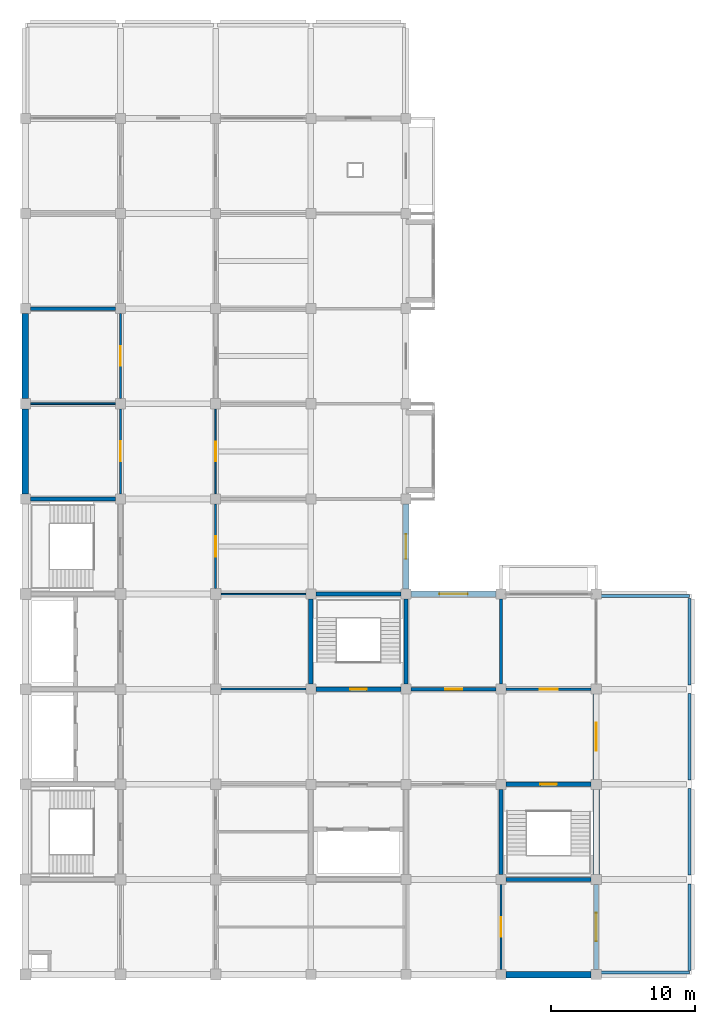
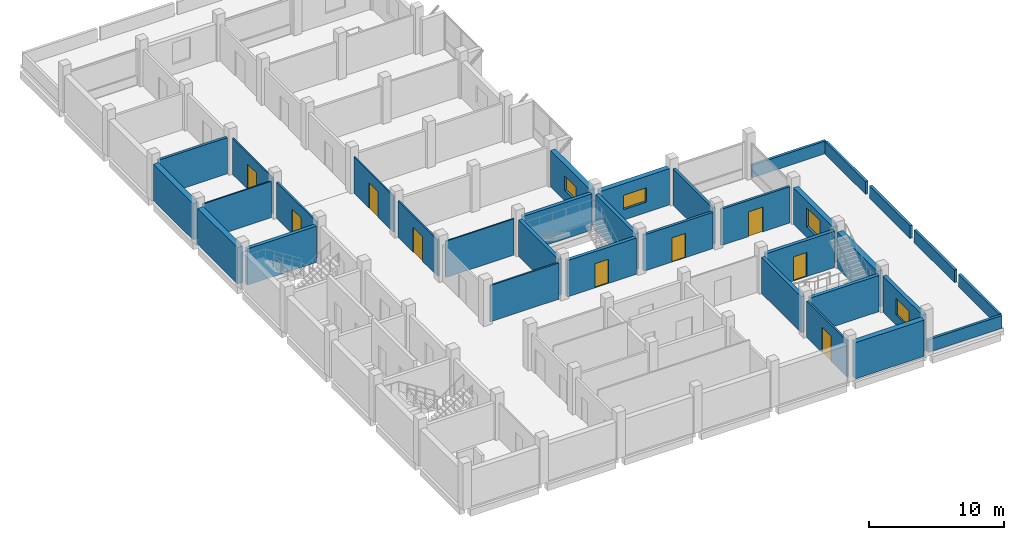
# One storey, part 7 of 10: 34 walls, 9 doors, 4 windows, 13 openings.
"""IFC4 building model written with IfcOpenShell, lengths in metres."""

from ifc_helpers import new_model, si_unit, direction, frame, frame_2d, origin, place, context, subcontext, project, spatial, rectangle, extrude, material, layer, layer_set, type_object, element, fill, save


model = new_model("IFC4")

# Units and contexts
model_context = context("Model", 3, precision=1e-05, world=origin(), true_north=direction((0.0, 1.0)))
body_context = subcontext(model_context, "Body", "Model", "MODEL_VIEW")
ifc_project = project(units=[si_unit("LENGTHUNIT", "METRE"), si_unit("AREAUNIT", "SQUARE_METRE"), si_unit("VOLUMEUNIT", "CUBIC_METRE"), si_unit("PLANEANGLEUNIT", "RADIAN"), si_unit("MASSUNIT", "GRAM", prefix="KILO")], contexts=[model_context])

# Site, building, storey
site_placement = place(None, origin())
site = spatial("IfcSite", under=ifc_project, at=site_placement, CompositionType="ELEMENT")
building_placement = place(site_placement, origin())
building = spatial("IfcBuilding", under=site, at=building_placement, Name="Rusizi Kubbe Research Institute", CompositionType="ELEMENT")
storey_placement = place(building_placement, frame((0.0, 0.0, 43.800048828125)))
storey = spatial("IfcBuildingStorey", under=building, at=storey_placement, Name="L10", CompositionType="ELEMENT", Elevation=43.800048828125)

# Wall
ifc_material_1 = material(Name="Concrete C40/50", Category="concrete")
ifc_layer_1 = layer(ifc_material_1, 0.294921875)
ifc_layer_set_1 = layer_set([ifc_layer_1], Name="Concrete C40/50")
wall_type_1 = type_object("IfcWallType", Name="CRW-03", PredefinedType="SHEAR", material=ifc_layer_set_1)
wall_1_placement = place(storey_placement, frame((0.35009765625, 33.0, 0.0), z_axis=(0.0, 0.0, 1.0), x_axis=(1.0, 0.0, 0.0)))
element("IfcWall", 1, at=wall_1_placement, inside=storey, type_object=wall_type_1, Name="Stair Core Shear Wall ST2 L10 N", PredefinedType="SHEAR", context=body_context, shape_type="SweptSolid", body=[
    extrude(rectangle(XDim=5.89990234375, YDim=0.294921875, at=frame_2d((2.949951171875, 0.0))), origin(), (0.0, 0.0, 1.0), 3.2900390625),
])

# Wall, opening, door
wall_2_placement = place(storey_placement, frame((20.14990234375, 19.800048828125, 0.0), z_axis=(0.0, 0.0, 1.0), x_axis=(1.0, 0.0, 0.0)))
wall_2 = element("IfcWall", 2, at=wall_2_placement, inside=storey, type_object=wall_type_1, Name="Stair Core Shear Wall ST3 L10 S", PredefinedType="SHEAR", context=body_context, shape_type="SweptSolid", body=[
    extrude(rectangle(XDim=5.900146484375, YDim=0.294921875, at=frame_2d((2.9501953125, 0.0))), origin(), (0.0, 0.0, 1.0), 3.2900390625),
])
opening_1_placement = place(wall_2_placement, frame((2.375, 0.0, 0.0)))
opening_1 = element("IfcOpeningElement", 3, at=opening_1_placement, cuts=wall_2, Name="Opening D-02", PredefinedType="OPENING", context=body_context, shape_type="SweptSolid", body=[
    extrude(rectangle(XDim=1.14990234375, YDim=2.199951171875, at=frame_2d((0.574951171875, 1.10009765625))), frame((0.0, 0.157470703125, 0.0), z_axis=(0.0, -1.0, 0.0), x_axis=(1.0, 0.0, 0.0)), (0.0, 0.0, 1.0), 0.31494140625),
])
ifc_material_2 = material(Name="Fire-Rated Steel Frame and Acoustic Timber Leaf", Category="wood")
door_type_1 = type_object("IfcDoorType", Name="ID-STAIR-115", OperationType="NOTDEFINED", PredefinedType="DOOR", material=ifc_material_2)
door_1_placement = place(opening_1_placement, origin())
door_1 = element("IfcDoor", 4, at=door_1_placement, inside=storey, type_object=door_type_1, Name="Exit Stair Door ST3 L10", OperationType="SINGLE_SWING_RIGHT", OverallHeight=2.199951171875, OverallWidth=1.14990234375, PredefinedType="DOOR", context=body_context, shape_type="SweptSolid", body=[
    extrude(rectangle(XDim=1.14990234375, YDim=2.199951171875, at=frame_2d((0.574951171875, 1.10009765625))), frame((0.0, 0.02490234375, 0.0), z_axis=(0.0, -1.0, 0.0), x_axis=(1.0, 0.0, 0.0)), (0.0, 0.0, 1.0), 0.050048828125),
])
fill(opening_1, door_1)

# Walls
for number, where, z_axis, x_axis, name in (
    (5, (20.14990234375, 26.39990234375, 0.0), (0.0, 0.0, 1.0), (1.0, 0.0, 0.0), "Stair Core Shear Wall ST3 L10 N"),
    (6, (19.800048828125, 20.14990234375, 0.0), (0.0, 0.0, 1.0), (0.0, 1.0, 0.0), "Stair Core Shear Wall ST3 L10 W"),
    (7, (26.39990234375, 20.14990234375, 0.0), (0.0, 0.0, 1.0), (0.0, 1.0, 0.0), "Stair Core Shear Wall ST3 L10 E"),
):
    element("IfcWall", number, at=place(storey_placement, frame(where, z_axis=z_axis, x_axis=x_axis)), inside=storey, type_object=wall_type_1, Name=name, PredefinedType="SHEAR", context=body_context, shape_type="SweptSolid", body=[
        extrude(rectangle(XDim=5.900146484375, YDim=0.294921875, at=frame_2d((2.9501953125, 0.0))), origin(), (0.0, 0.0, 1.0), 3.2900390625),
    ])
wall_3_placement = place(storey_placement, frame((33.35009765625, 6.60009765625, 0.0), z_axis=(0.0, 0.0, 1.0), x_axis=(1.0, 0.0, 0.0)))
element("IfcWall", 8, at=wall_3_placement, inside=storey, type_object=wall_type_1, Name="Stair Core Shear Wall ST4 L10 S", PredefinedType="SHEAR", context=body_context, shape_type="SweptSolid", body=[
    extrude(rectangle(XDim=5.89990234375, YDim=0.294921875, at=frame_2d((2.949951171875, 0.0))), origin(), (0.0, 0.0, 1.0), 3.2900390625),
])

# Wall, opening, door
wall_4_placement = place(storey_placement, frame((33.35009765625, 13.199951171875, 0.0), z_axis=(0.0, 0.0, 1.0), x_axis=(1.0, 0.0, 0.0)))
wall_4 = element("IfcWall", 9, at=wall_4_placement, inside=storey, type_object=wall_type_1, Name="Stair Core Shear Wall ST4 L10 N", PredefinedType="SHEAR", context=body_context, shape_type="SweptSolid", body=[
    extrude(rectangle(XDim=5.89990234375, YDim=0.294921875, at=frame_2d((2.949951171875, 0.0))), origin(), (0.0, 0.0, 1.0), 3.2900390625),
])
opening_2_placement = place(wall_4_placement, frame((2.375, 0.0, 0.0)))
opening_2 = element("IfcOpeningElement", 10, at=opening_2_placement, cuts=wall_4, Name="Opening D-02", PredefinedType="OPENING", context=body_context, shape_type="SweptSolid", body=[
    extrude(rectangle(XDim=1.14990234375, YDim=2.199951171875, at=frame_2d((0.574951171875, 1.10009765625))), frame((0.0, 0.157470703125, 0.0), z_axis=(0.0, -1.0, 0.0), x_axis=(1.0, 0.0, 0.0)), (0.0, 0.0, 1.0), 0.31494140625),
])
door_2_placement = place(opening_2_placement, origin())
door_2 = element("IfcDoor", 11, at=door_2_placement, inside=storey, type_object=door_type_1, Name="Exit Stair Door ST4 L10", OperationType="SINGLE_SWING_RIGHT", OverallHeight=2.199951171875, OverallWidth=1.14990234375, PredefinedType="DOOR", context=body_context, shape_type="SweptSolid", body=[
    extrude(rectangle(XDim=1.14990234375, YDim=2.199951171875, at=frame_2d((0.574951171875, 1.10009765625))), frame((0.0, 0.02490234375, 0.0), z_axis=(0.0, -1.0, 0.0), x_axis=(1.0, 0.0, 0.0)), (0.0, 0.0, 1.0), 0.050048828125),
])
fill(opening_2, door_2)

# Wall
wall_5_placement = place(storey_placement, frame((33.0, 6.949951171875, 0.0), z_axis=(0.0, 0.0, 1.0), x_axis=(0.0, 1.0, 0.0)))
element("IfcWall", 12, at=wall_5_placement, inside=storey, type_object=wall_type_1, Name="Stair Core Shear Wall ST4 L10 W", PredefinedType="SHEAR", context=body_context, shape_type="SweptSolid", body=[
    extrude(rectangle(XDim=5.900146484375, YDim=0.294921875, at=frame_2d((2.9501953125, 0.0))), origin(), (0.0, 0.0, 1.0), 3.2900390625),
])

# Wall, opening, window
ifc_material_3 = material(Name="Volcanic Basalt Ashlar Masonry", Category="masonry")
ifc_layer_2 = layer(ifc_material_3, 0.419921875)
ifc_layer_set_2 = layer_set([ifc_layer_2], Name="Volcanic Basalt Ashlar Masonry")
wall_type_2 = type_object("IfcWallType", Name="EW-02", PredefinedType="SOLIDWALL", material=ifc_layer_set_2)
wall_6_placement = place(storey_placement, frame((26.39990234375, 26.75, 0.0), z_axis=(0.0, 0.0, 1.0), x_axis=(0.0, 1.0, 0.0)))
wall_6 = element("IfcWall", 13, at=wall_6_placement, inside=storey, type_object=wall_type_2, Name="Ablaq Stone Exterior Wall L10 V4-4", PredefinedType="SOLIDWALL", context=body_context, shape_type="SweptSolid", body=[
    extrude(rectangle(XDim=5.89990234375, YDim=0.419921875, at=frame_2d((2.949951171875, 0.0))), origin(), (0.0, 0.0, 1.0), 3.2900390625),
])
opening_3_placement = place(wall_6_placement, frame((2.090087890625, 0.0, 0.949951171875)))
opening_3 = element("IfcOpeningElement", 14, at=opening_3_placement, cuts=wall_6, Name="Opening WN-21", PredefinedType="OPENING", context=body_context, shape_type="SweptSolid", body=[
    extrude(rectangle(XDim=1.719970703125, YDim=1.300048828125, at=frame_2d((0.85986328125, 0.64990234375))), frame((0.0, 0.219970703125, 0.0), z_axis=(0.0, -1.0, 0.0), x_axis=(1.0, 0.0, 0.0)), (0.0, 0.0, 1.0), 0.43994140625),
])
ifc_material_4 = material(Name="Aluminium Frame and Solar-Control Double Glazing", Category="glass")
window_type_1 = type_object("IfcWindowType", Name="WN-21", PartitioningType="DOUBLE_PANEL_VERTICAL", PredefinedType="WINDOW", material=ifc_material_4)
window_1_placement = place(opening_3_placement, origin())
window_1 = element("IfcWindow", 15, at=window_1_placement, inside=storey, type_object=window_type_1, Name="Casement Window WN-21 L10", OverallHeight=1.300048828125, OverallWidth=1.719970703125, PartitioningType="DOUBLE_PANEL_VERTICAL", PredefinedType="WINDOW", context=body_context, shape_type="SweptSolid", body=[
    extrude(rectangle(XDim=1.719970703125, YDim=1.300048828125, at=frame_2d((0.85986328125, 0.64990234375))), frame((0.0, 0.030029296875, 0.0), z_axis=(0.0, -1.0, 0.0), x_axis=(1.0, 0.0, 0.0)), (0.0, 0.0, 1.0), 0.06005859375),
])
fill(opening_3, window_1)

wall_7_placement = place(storey_placement, frame((26.75, 26.39990234375, 0.0), z_axis=(0.0, 0.0, 1.0), x_axis=(1.0, 0.0, 0.0)))
wall_7 = element("IfcWall", 16, at=wall_7_placement, inside=storey, type_object=wall_type_2, Name="Ablaq Stone Exterior Wall L10 H4-4", PredefinedType="SOLIDWALL", context=body_context, shape_type="SweptSolid", body=[
    extrude(rectangle(XDim=5.89990234375, YDim=0.419921875, at=frame_2d((2.949951171875, 0.0))), origin(), (0.0, 0.0, 1.0), 3.2900390625),
])
opening_4_placement = place(wall_7_placement, frame((1.969970703125, 0.0, 0.949951171875)))
opening_4 = element("IfcOpeningElement", 17, at=opening_4_placement, cuts=wall_7, Name="Opening WN-25", PredefinedType="OPENING", context=body_context, shape_type="SweptSolid", body=[
    extrude(rectangle(XDim=1.9599609375, YDim=1.300048828125, at=frame_2d((0.97998046875, 0.64990234375))), frame((0.0, 0.219970703125, 0.0), z_axis=(0.0, -1.0, 0.0), x_axis=(1.0, 0.0, 0.0)), (0.0, 0.0, 1.0), 0.43994140625),
])
ifc_material_5 = material(Name="Aluminium Frame and Solar-Control Double Glazing", Category="glass")
window_type_2 = type_object("IfcWindowType", Name="WN-25", PartitioningType="DOUBLE_PANEL_VERTICAL", PredefinedType="WINDOW", material=ifc_material_5)
window_2_placement = place(opening_4_placement, origin())
window_2 = element("IfcWindow", 18, at=window_2_placement, inside=storey, type_object=window_type_2, Name="Casement Window WN-25 L10", OverallHeight=1.300048828125, OverallWidth=1.9599609375, PartitioningType="DOUBLE_PANEL_VERTICAL", PredefinedType="WINDOW", context=body_context, shape_type="SweptSolid", body=[
    extrude(rectangle(XDim=1.9599609375, YDim=1.300048828125, at=frame_2d((0.97998046875, 0.64990234375))), frame((0.0, 0.030029296875, 0.0), z_axis=(0.0, -1.0, 0.0), x_axis=(1.0, 0.0, 0.0)), (0.0, 0.0, 1.0), 0.06005859375),
])
fill(opening_4, window_2)

wall_8_placement = place(storey_placement, frame((39.60009765625, 13.550048828125, 0.0), z_axis=(0.0, 0.0, 1.0), x_axis=(0.0, 1.0, 0.0)))
wall_8 = element("IfcWall", 19, at=wall_8_placement, inside=storey, type_object=wall_type_2, Name="Ablaq Stone Exterior Wall L10 V6-2", PredefinedType="SOLIDWALL", context=body_context, shape_type="SweptSolid", body=[
    extrude(rectangle(XDim=5.89990234375, YDim=0.419921875, at=frame_2d((2.949951171875, 0.0))), origin(), (0.0, 0.0, 1.0), 3.2900390625),
])
opening_5_placement = place(wall_8_placement, frame((1.969970703125, 0.0, 0.949951171875)))
opening_5 = element("IfcOpeningElement", 20, at=opening_5_placement, cuts=wall_8, Name="Opening WN-27", PredefinedType="OPENING", context=body_context, shape_type="SweptSolid", body=[
    extrude(rectangle(XDim=1.9599609375, YDim=1.739990234375, at=frame_2d((0.97998046875, 0.8701171875))), frame((0.0, 0.219970703125, 0.0), z_axis=(0.0, -1.0, 0.0), x_axis=(1.0, 0.0, 0.0)), (0.0, 0.0, 1.0), 0.43994140625),
])
ifc_material_6 = material(Name="Aluminium Frame and Solar-Control Double Glazing", Category="glass")
window_type_3 = type_object("IfcWindowType", Name="WN-27", PartitioningType="DOUBLE_PANEL_VERTICAL", PredefinedType="WINDOW", material=ifc_material_6)
window_3_placement = place(opening_5_placement, origin())
window_3 = element("IfcWindow", 21, at=window_3_placement, inside=storey, type_object=window_type_3, Name="Casement Window WN-27 L10", OverallHeight=1.739990234375, OverallWidth=1.9599609375, PartitioningType="DOUBLE_PANEL_VERTICAL", PredefinedType="WINDOW", context=body_context, shape_type="SweptSolid", body=[
    extrude(rectangle(XDim=1.9599609375, YDim=1.739990234375, at=frame_2d((0.97998046875, 0.8701171875))), frame((0.0, 0.030029296875, 0.0), z_axis=(0.0, -1.0, 0.0), x_axis=(1.0, 0.0, 0.0)), (0.0, 0.0, 1.0), 0.06005859375),
])
fill(opening_5, window_3)

ifc_material_7 = material(Name="Volcanic Basalt Ashlar Masonry", Category="masonry")
ifc_layer_3 = layer(ifc_material_7, 0.324951171875)
ifc_layer_set_3 = layer_set([ifc_layer_3], Name="Volcanic Basalt Ashlar Masonry")
wall_type_3 = type_object("IfcWallType", Name="EW-08", PredefinedType="SOLIDWALL", material=ifc_layer_set_3)
wall_9_placement = place(storey_placement, frame((39.60009765625, 0.35009765625, 0.0), z_axis=(0.0, 0.0, 1.0), x_axis=(0.0, 1.0, 0.0)))
wall_9 = element("IfcWall", 22, at=wall_9_placement, inside=storey, type_object=wall_type_3, Name="Ablaq Stone Exterior Wall L10 V6-0", PredefinedType="SOLIDWALL", context=body_context, shape_type="SweptSolid", body=[
    extrude(rectangle(XDim=5.89990234375, YDim=0.324951171875, at=frame_2d((2.949951171875, 0.0))), origin(), (0.0, 0.0, 1.0), 3.2900390625),
])
opening_6_placement = place(wall_9_placement, frame((1.969970703125, 0.0, 0.949951171875)))
opening_6 = element("IfcOpeningElement", 23, at=opening_6_placement, cuts=wall_9, Name="Opening WN-26", PredefinedType="OPENING", context=body_context, shape_type="SweptSolid", body=[
    extrude(rectangle(XDim=1.9599609375, YDim=1.52001953125, at=frame_2d((0.97998046875, 0.760009765625))), frame((0.0, 0.17236328125, 0.0), z_axis=(0.0, -1.0, 0.0), x_axis=(1.0, 0.0, 0.0)), (0.0, 0.0, 1.0), 0.344970703125),
])
ifc_material_8 = material(Name="Aluminium Frame and Solar-Control Double Glazing", Category="glass")
window_type_4 = type_object("IfcWindowType", Name="WN-26", PartitioningType="DOUBLE_PANEL_VERTICAL", PredefinedType="WINDOW", material=ifc_material_8)
window_4_placement = place(opening_6_placement, origin())
window_4 = element("IfcWindow", 24, at=window_4_placement, inside=storey, type_object=window_type_4, Name="Casement Window WN-26 L10", OverallHeight=1.52001953125, OverallWidth=1.9599609375, PartitioningType="DOUBLE_PANEL_VERTICAL", PredefinedType="WINDOW", context=body_context, shape_type="SweptSolid", body=[
    extrude(rectangle(XDim=1.9599609375, YDim=1.52001953125, at=frame_2d((0.97998046875, 0.760009765625))), frame((0.0, 0.030029296875, 0.0), z_axis=(0.0, -1.0, 0.0), x_axis=(1.0, 0.0, 0.0)), (0.0, 0.0, 1.0), 0.06005859375),
])
fill(opening_6, window_4)

# Wall
ifc_material_9 = material(Name="Concrete Blockwork Fire Partition", Category="masonry")
ifc_layer_4 = layer(ifc_material_9, 0.22509765625)
ifc_layer_set_4 = layer_set([ifc_layer_4], Name="Concrete Blockwork Fire Partition")
wall_type_4 = type_object("IfcWallType", Name="IW-01", PredefinedType="PARTITIONING", material=ifc_layer_set_4)
wall_10_placement = place(storey_placement, frame((0.35009765625, 46.199951171875, 0.0), z_axis=(0.0, 0.0, 1.0), x_axis=(1.0, 0.0, 0.0)))
element("IfcWall", 25, at=wall_10_placement, inside=storey, type_object=wall_type_4, Name="Interior Partition Wall L10 H0-7", PredefinedType="PARTITIONING", context=body_context, shape_type="SweptSolid", body=[
    extrude(rectangle(XDim=5.89990234375, YDim=0.22509765625, at=frame_2d((2.949951171875, 0.0))), origin(), (0.0, 0.0, 1.0), 3.2900390625),
])

# Wall, opening, door
wall_11_placement = place(storey_placement, frame((26.75, 19.800048828125, 0.0), z_axis=(0.0, 0.0, 1.0), x_axis=(1.0, 0.0, 0.0)))
wall_11 = element("IfcWall", 26, at=wall_11_placement, inside=storey, type_object=wall_type_4, Name="Interior Partition Wall L10 H4-3", PredefinedType="PARTITIONING", context=body_context, shape_type="SweptSolid", body=[
    extrude(rectangle(XDim=5.89990234375, YDim=0.22509765625, at=frame_2d((2.949951171875, 0.0))), origin(), (0.0, 0.0, 1.0), 3.2900390625),
])
opening_7_placement = place(wall_11_placement, frame((2.360107421875, 0.0, 0.0)))
opening_7 = element("IfcOpeningElement", 27, at=opening_7_placement, cuts=wall_11, Name="Opening D-19", PredefinedType="OPENING", context=body_context, shape_type="SweptSolid", body=[
    extrude(rectangle(XDim=1.179931640625, YDim=2.199951171875, at=frame_2d((0.58984375, 1.10009765625))), frame((0.0, 0.12255859375, 0.0), z_axis=(0.0, -1.0, 0.0), x_axis=(1.0, 0.0, 0.0)), (0.0, 0.0, 1.0), 0.2451171875),
])
ifc_material_10 = material(Name="Fire-Rated Steel Frame and Acoustic Timber Leaf", Category="wood")
door_type_2 = type_object("IfcDoorType", Name="ID-OFF-118", OperationType="NOTDEFINED", PredefinedType="DOOR", material=ifc_material_10)
door_3_placement = place(opening_7_placement, origin())
door_3 = element("IfcDoor", 28, at=door_3_placement, inside=storey, type_object=door_type_2, Name="Door to Write-up Office (L10-EWN-01)", OperationType="SINGLE_SWING_RIGHT", OverallHeight=2.199951171875, OverallWidth=1.179931640625, PredefinedType="DOOR", context=body_context, shape_type="SweptSolid", body=[
    extrude(rectangle(XDim=1.179931640625, YDim=2.199951171875, at=frame_2d((0.58984375, 1.10009765625))), frame((0.0, 0.02490234375, 0.0), z_axis=(0.0, -1.0, 0.0), x_axis=(1.0, 0.0, 0.0)), (0.0, 0.0, 1.0), 0.050048828125),
])
fill(opening_7, door_3)

# Wall
wall_12_placement = place(storey_placement, frame((33.0, 20.14990234375, 0.0), z_axis=(0.0, 0.0, 1.0), x_axis=(0.0, 1.0, 0.0)))
element("IfcWall", 29, at=wall_12_placement, inside=storey, type_object=wall_type_4, Name="Interior Partition Wall L10 V5-3", PredefinedType="PARTITIONING", context=body_context, shape_type="SweptSolid", body=[
    extrude(rectangle(XDim=5.900146484375, YDim=0.22509765625, at=frame_2d((2.9501953125, 0.0))), origin(), (0.0, 0.0, 1.0), 3.2900390625),
])

# Wall, opening, door
ifc_material_11 = material(Name="Insulated Cleanroom Partition", Category="masonry")
ifc_layer_5 = layer(ifc_material_11, 0.195068359375)
ifc_layer_set_5 = layer_set([ifc_layer_5], Name="Insulated Cleanroom Partition")
wall_type_5 = type_object("IfcWallType", Name="IW-02", PredefinedType="PARTITIONING", material=ifc_layer_set_5)
wall_13_placement = place(storey_placement, frame((33.35009765625, 19.800048828125, 0.0), z_axis=(0.0, 0.0, 1.0), x_axis=(1.0, 0.0, 0.0)))
wall_13 = element("IfcWall", 30, at=wall_13_placement, inside=storey, type_object=wall_type_5, Name="Interior Partition Wall L10 H5-3", PredefinedType="PARTITIONING", context=body_context, shape_type="SweptSolid", body=[
    extrude(rectangle(XDim=5.89990234375, YDim=0.195068359375, at=frame_2d((2.949951171875, 0.0))), origin(), (0.0, 0.0, 1.0), 3.2900390625),
])
opening_8_placement = place(wall_13_placement, frame((2.324951171875, 0.0, 0.0)))
opening_8 = element("IfcOpeningElement", 31, at=opening_8_placement, cuts=wall_13, Name="Opening D-15", PredefinedType="OPENING", context=body_context, shape_type="SweptSolid", body=[
    extrude(rectangle(XDim=1.25, YDim=2.25, at=frame_2d((0.625, 1.125))), frame((0.0, 0.107421875, 0.0), z_axis=(0.0, -1.0, 0.0), x_axis=(1.0, 0.0, 0.0)), (0.0, 0.0, 1.0), 0.215087890625),
])
ifc_material_12 = material(Name="Fire-Rated Steel Frame and Acoustic Timber Leaf", Category="wood")
door_type_3 = type_object("IfcDoorType", Name="ID-LAB-125", OperationType="NOTDEFINED", PredefinedType="DOOR", material=ifc_material_12)
door_4_placement = place(opening_8_placement, origin())
door_4 = element("IfcDoor", 32, at=door_4_placement, inside=storey, type_object=door_type_3, Name="Door to Molecular Diagnostics Laboratory (L10-EWN-02)", OperationType="SINGLE_SWING_LEFT", OverallHeight=2.25, OverallWidth=1.25, PredefinedType="DOOR", context=body_context, shape_type="SweptSolid", body=[
    extrude(rectangle(XDim=1.25, YDim=2.25, at=frame_2d((0.625, 1.125))), frame((0.0, 0.02490234375, 0.0), z_axis=(0.0, -1.0, 0.0), x_axis=(1.0, 0.0, 0.0)), (0.0, 0.0, 1.0), 0.050048828125),
])
fill(opening_8, door_4)

ifc_material_13 = material(Name="Fire-Rated Corridor Partition", Category="masonry")
ifc_layer_6 = layer(ifc_material_13, 0.155029296875)
ifc_layer_set_6 = layer_set([ifc_layer_6], Name="Fire-Rated Corridor Partition")
wall_type_6 = type_object("IfcWallType", Name="IW-04", PredefinedType="PARTITIONING", material=ifc_layer_set_6)
wall_14_placement = place(storey_placement, frame((33.0, 0.35009765625, 0.0), z_axis=(0.0, 0.0, 1.0), x_axis=(0.0, 1.0, 0.0)))
wall_14 = element("IfcWall", 33, at=wall_14_placement, inside=storey, type_object=wall_type_6, Name="Interior Partition Wall L10 V5-0", PredefinedType="PARTITIONING", context=body_context, shape_type="SweptSolid", body=[
    extrude(rectangle(XDim=5.89990234375, YDim=0.155029296875, at=frame_2d((2.949951171875, 0.0))), origin(), (0.0, 0.0, 1.0), 3.2900390625),
])
opening_9_placement = place(wall_14_placement, frame((2.27490234375, 0.0, 0.0)))
opening_9 = element("IfcOpeningElement", 34, at=opening_9_placement, cuts=wall_14, Name="Opening D-13", PredefinedType="OPENING", context=body_context, shape_type="SweptSolid", body=[
    extrude(rectangle(XDim=1.35009765625, YDim=2.300048828125, at=frame_2d((0.675048828125, 1.14990234375))), frame((0.0, 0.08740234375, 0.0), z_axis=(0.0, -1.0, 0.0), x_axis=(1.0, 0.0, 0.0)), (0.0, 0.0, 1.0), 0.175048828125),
])
ifc_material_14 = material(Name="Fire-Rated Steel Frame and Acoustic Timber Leaf", Category="wood")
door_type_4 = type_object("IfcDoorType", Name="ID-LAB-135", OperationType="NOTDEFINED", PredefinedType="DOOR", material=ifc_material_14)
door_5_placement = place(opening_9_placement, origin())
door_5 = element("IfcDoor", 35, at=door_5_placement, inside=storey, type_object=door_type_4, Name="Door to Laboratory Instrument Support Room (L10-EWU-05)", OperationType="SINGLE_SWING_LEFT", OverallHeight=2.300048828125, OverallWidth=1.35009765625, PredefinedType="DOOR", context=body_context, shape_type="SweptSolid", body=[
    extrude(rectangle(XDim=1.35009765625, YDim=2.300048828125, at=frame_2d((0.675048828125, 1.14990234375))), frame((0.0, 0.02490234375, 0.0), z_axis=(0.0, -1.0, 0.0), x_axis=(1.0, 0.0, 0.0)), (0.0, 0.0, 1.0), 0.050048828125),
])
fill(opening_9, door_5)

ifc_material_15 = material(Name="Write-up Glazed Acoustic Partition", Category="masonry")
ifc_layer_7 = layer(ifc_material_15, 0.139892578125)
ifc_layer_set_7 = layer_set([ifc_layer_7], Name="Write-up Glazed Acoustic Partition")
wall_type_7 = type_object("IfcWallType", Name="IW-05", PredefinedType="PARTITIONING", material=ifc_layer_set_7)
wall_15_placement = place(storey_placement, frame((6.60009765625, 33.35009765625, 0.0), z_axis=(0.0, 0.0, 1.0), x_axis=(0.0, 1.0, 0.0)))
wall_15 = element("IfcWall", 36, at=wall_15_placement, inside=storey, type_object=wall_type_7, Name="Interior Partition Wall L10 V1-5", PredefinedType="PARTITIONING", context=body_context, shape_type="SweptSolid", body=[
    extrude(rectangle(XDim=5.89990234375, YDim=0.139892578125, at=frame_2d((2.949951171875, 0.0))), origin(), (0.0, 0.0, 1.0), 3.2900390625),
])
opening_10_placement = place(wall_15_placement, frame((2.25, 0.0, 0.0)))
opening_10 = element("IfcOpeningElement", 37, at=opening_10_placement, cuts=wall_15, Name="Opening D-12", PredefinedType="OPENING", context=body_context, shape_type="SweptSolid", body=[
    extrude(rectangle(XDim=1.39990234375, YDim=2.25, at=frame_2d((0.699951171875, 1.125))), frame((0.0, 0.079833984375, 0.0), z_axis=(0.0, -1.0, 0.0), x_axis=(1.0, 0.0, 0.0)), (0.0, 0.0, 1.0), 0.159912109375),
])
ifc_material_16 = material(Name="Fire-Rated Steel Frame and Acoustic Timber Leaf", Category="wood")
door_type_5 = type_object("IfcDoorType", Name="ID-LAB-140", OperationType="NOTDEFINED", PredefinedType="DOOR", material=ifc_material_16)
door_6_placement = place(opening_10_placement, origin())
door_6 = element("IfcDoor", 38, at=door_6_placement, inside=storey, type_object=door_type_5, Name="Door to Clean Room Metrology Laboratory (L10-WSP-05)", OperationType="SINGLE_SWING_RIGHT", OverallHeight=2.25, OverallWidth=1.39990234375, PredefinedType="DOOR", context=body_context, shape_type="SweptSolid", body=[
    extrude(rectangle(XDim=1.39990234375, YDim=2.25, at=frame_2d((0.699951171875, 1.125))), frame((0.0, 0.02490234375, 0.0), z_axis=(0.0, -1.0, 0.0), x_axis=(1.0, 0.0, 0.0)), (0.0, 0.0, 1.0), 0.050048828125),
])
fill(opening_10, door_6)

wall_16_placement = place(storey_placement, frame((13.199951171875, 26.77490234375, 0.0), z_axis=(0.0, 0.0, 1.0), x_axis=(0.0, 1.0, 0.0)))
wall_16 = element("IfcWall", 39, at=wall_16_placement, inside=storey, type_object=wall_type_7, Name="Interior Partition Wall L10 V2-4", PredefinedType="PARTITIONING", context=body_context, shape_type="SweptSolid", body=[
    extrude(rectangle(XDim=5.875, YDim=0.139892578125, at=frame_2d((2.9375, 0.0))), origin(), (0.0, 0.0, 1.0), 3.2900390625),
])
opening_11_placement = place(wall_16_placement, frame((2.22509765625, 0.0, 0.0)))
opening_11 = element("IfcOpeningElement", 40, at=opening_11_placement, cuts=wall_16, Name="Opening D-12", PredefinedType="OPENING", context=body_context, shape_type="SweptSolid", body=[
    extrude(rectangle(XDim=1.39990234375, YDim=2.25, at=frame_2d((0.699951171875, 1.125))), frame((0.0, 0.079833984375, 0.0), z_axis=(0.0, -1.0, 0.0), x_axis=(1.0, 0.0, 0.0)), (0.0, 0.0, 1.0), 0.159912109375),
])
door_7_placement = place(opening_11_placement, origin())
door_7 = element("IfcDoor", 41, at=door_7_placement, inside=storey, type_object=door_type_5, Name="Door to Bioscience Wet Laboratory (L10-NW-02)", OperationType="SINGLE_SWING_RIGHT", OverallHeight=2.25, OverallWidth=1.39990234375, PredefinedType="DOOR", context=body_context, shape_type="SweptSolid", body=[
    extrude(rectangle(XDim=1.39990234375, YDim=2.25, at=frame_2d((0.699951171875, 1.125))), frame((0.0, 0.02490234375, 0.0), z_axis=(0.0, -1.0, 0.0), x_axis=(1.0, 0.0, 0.0)), (0.0, 0.0, 1.0), 0.050048828125),
])
fill(opening_11, door_7)

# Walls
wall_17_placement = place(storey_placement, frame((13.574951171875, 19.800048828125, 0.0), z_axis=(0.0, 0.0, 1.0), x_axis=(1.0, 0.0, 0.0)))
element("IfcWall", 42, at=wall_17_placement, inside=storey, type_object=wall_type_7, Name="Interior Partition Wall L10 H2-3", PredefinedType="PARTITIONING", context=body_context, shape_type="SweptSolid", body=[
    extrude(rectangle(XDim=5.875, YDim=0.139892578125, at=frame_2d((2.9375, 0.0))), origin(), (0.0, 0.0, 1.0), 3.2900390625),
])
ifc_material_17 = material(Name="Sub-Suite Fire Partition", Category="masonry")
ifc_layer_8 = layer(ifc_material_17, 0.110107421875)
ifc_layer_set_8 = layer_set([ifc_layer_8], Name="Sub-Suite Fire Partition")
wall_type_8 = type_object("IfcWallType", Name="IW-07", PredefinedType="PARTITIONING", material=ifc_layer_set_8)
wall_18_placement = place(storey_placement, frame((0.35009765625, 39.60009765625, 0.0), z_axis=(0.0, 0.0, 1.0), x_axis=(1.0, 0.0, 0.0)))
element("IfcWall", 43, at=wall_18_placement, inside=storey, type_object=wall_type_8, Name="Interior Partition Wall L10 H0-6", PredefinedType="PARTITIONING", context=body_context, shape_type="SweptSolid", body=[
    extrude(rectangle(XDim=5.89990234375, YDim=0.110107421875, at=frame_2d((2.949951171875, 0.0))), origin(), (0.0, 0.0, 1.0), 3.2900390625),
])

# Wall, opening, door
wall_19_placement = place(storey_placement, frame((6.60009765625, 39.949951171875, 0.0), z_axis=(0.0, 0.0, 1.0), x_axis=(0.0, 1.0, 0.0)))
wall_19 = element("IfcWall", 44, at=wall_19_placement, inside=storey, type_object=wall_type_8, Name="Interior Partition Wall L10 V1-6", PredefinedType="PARTITIONING", context=body_context, shape_type="SweptSolid", body=[
    extrude(rectangle(XDim=5.900146484375, YDim=0.110107421875, at=frame_2d((2.9501953125, 0.0))), origin(), (0.0, 0.0, 1.0), 3.2900390625),
])
opening_12_placement = place(wall_19_placement, frame((2.27490234375, 0.0, 0.0)))
opening_12 = element("IfcOpeningElement", 45, at=opening_12_placement, cuts=wall_19, Name="Opening D-13", PredefinedType="OPENING", context=body_context, shape_type="SweptSolid", body=[
    extrude(rectangle(XDim=1.35009765625, YDim=2.300048828125, at=frame_2d((0.675048828125, 1.14990234375))), frame((0.0, 0.06494140625, 0.0), z_axis=(0.0, -1.0, 0.0), x_axis=(1.0, 0.0, 0.0)), (0.0, 0.0, 1.0), 0.130126953125),
])
door_8_placement = place(opening_12_placement, origin())
door_8 = element("IfcDoor", 46, at=door_8_placement, inside=storey, type_object=door_type_4, Name="Door to Service Spine Autoclave Room (L10-WSP-06)", OperationType="SINGLE_SWING_LEFT", OverallHeight=2.300048828125, OverallWidth=1.35009765625, PredefinedType="DOOR", context=body_context, shape_type="SweptSolid", body=[
    extrude(rectangle(XDim=1.35009765625, YDim=2.300048828125, at=frame_2d((0.675048828125, 1.14990234375))), frame((0.0, 0.02490234375, 0.0), z_axis=(0.0, -1.0, 0.0), x_axis=(1.0, 0.0, 0.0)), (0.0, 0.0, 1.0), 0.050048828125),
])
fill(opening_12, door_8)

wall_20_placement = place(storey_placement, frame((13.199951171875, 33.35009765625, 0.0), z_axis=(0.0, 0.0, 1.0), x_axis=(0.0, 1.0, 0.0)))
wall_20 = element("IfcWall", 47, at=wall_20_placement, inside=storey, type_object=wall_type_8, Name="Interior Partition Wall L10 V2-5", PredefinedType="PARTITIONING", context=body_context, shape_type="SweptSolid", body=[
    extrude(rectangle(XDim=5.89990234375, YDim=0.110107421875, at=frame_2d((2.949951171875, 0.0))), origin(), (0.0, 0.0, 1.0), 3.2900390625),
])
opening_13_placement = place(wall_20_placement, frame((2.27490234375, 0.0, 0.0)))
opening_13 = element("IfcOpeningElement", 48, at=opening_13_placement, cuts=wall_20, Name="Opening D-13", PredefinedType="OPENING", context=body_context, shape_type="SweptSolid", body=[
    extrude(rectangle(XDim=1.35009765625, YDim=2.300048828125, at=frame_2d((0.675048828125, 1.14990234375))), frame((0.0, 0.06494140625, 0.0), z_axis=(0.0, -1.0, 0.0), x_axis=(1.0, 0.0, 0.0)), (0.0, 0.0, 1.0), 0.130126953125),
])
door_9_placement = place(opening_13_placement, origin())
door_9 = element("IfcDoor", 49, at=door_9_placement, inside=storey, type_object=door_type_4, Name="Door to Computational Dry Laboratory (L10-NW-03)", OperationType="SINGLE_SWING_LEFT", OverallHeight=2.300048828125, OverallWidth=1.35009765625, PredefinedType="DOOR", context=body_context, shape_type="SweptSolid", body=[
    extrude(rectangle(XDim=1.35009765625, YDim=2.300048828125, at=frame_2d((0.675048828125, 1.14990234375))), frame((0.0, 0.02490234375, 0.0), z_axis=(0.0, -1.0, 0.0), x_axis=(1.0, 0.0, 0.0)), (0.0, 0.0, 1.0), 0.050048828125),
])
fill(opening_13, door_9)

# Walls
wall_21_placement = place(storey_placement, frame((13.574951171875, 26.39990234375, 0.0), z_axis=(0.0, 0.0, 1.0), x_axis=(1.0, 0.0, 0.0)))
element("IfcWall", 50, at=wall_21_placement, inside=storey, type_object=wall_type_8, Name="Interior Partition Wall L10 H2-4", PredefinedType="PARTITIONING", context=body_context, shape_type="SweptSolid", body=[
    extrude(rectangle(XDim=5.875, YDim=0.110107421875, at=frame_2d((2.9375, 0.0))), origin(), (0.0, 0.0, 1.0), 3.2900390625),
])
ifc_material_18 = material(Name="Volcanic Basalt Ashlar Masonry", Category="masonry")
ifc_layer_9 = layer(ifc_material_18, 0.215087890625)
ifc_layer_set_9 = layer_set([ifc_layer_9], Name="Volcanic Basalt Ashlar Masonry")
wall_type_9 = type_object("IfcWallType", Name="PRP-02", PredefinedType="PARAPET", material=ifc_layer_set_9)
wall_22_placement = place(storey_placement, frame((39.739990234375, 0.139892578125, 0.0), z_axis=(0.0, 0.0, 1.0), x_axis=(1.0, 0.0, 0.0)))
element("IfcWall", 51, at=wall_22_placement, inside=storey, type_object=wall_type_9, Name="Roof Parapet Wall L10-007", PredefinedType="PARAPET", context=body_context, shape_type="SweptSolid", body=[
    extrude(rectangle(XDim=6.320068359375, YDim=0.215087890625, at=frame_2d((3.16015625, 0.0))), origin(), (0.0, 0.0, 1.0), 1.14990234375),
])
for number, where, z_axis, x_axis, name in (
    (52, (46.06005859375, 0.300048828125, 0.0), (0.0, 0.0, 1.0), (0.0, 1.0, 0.0), "Roof Parapet Wall L10-008"),
    (53, (46.06005859375, 6.89990234375, 0.0), (0.0, 0.0, 1.0), (0.0, 1.0, 0.0), "Roof Parapet Wall L10-009"),
    (54, (46.06005859375, 13.5, 0.0), (0.0, 0.0, 1.0), (0.0, 1.0, 0.0), "Roof Parapet Wall L10-010"),
):
    element("IfcWall", number, at=place(storey_placement, frame(where, z_axis=z_axis, x_axis=x_axis)), inside=storey, type_object=wall_type_9, Name=name, PredefinedType="PARAPET", context=body_context, shape_type="SweptSolid", body=[
        extrude(rectangle(XDim=6.0, YDim=0.215087890625, at=frame_2d((3.0, 0.0))), origin(), (0.0, 0.0, 1.0), 1.14990234375),
    ])
wall_23_placement = place(storey_placement, frame((39.739990234375, 26.260009765625, 0.0), z_axis=(0.0, 0.0, 1.0), x_axis=(1.0, 0.0, 0.0)))
element("IfcWall", 55, at=wall_23_placement, inside=storey, type_object=wall_type_9, Name="Roof Parapet Wall L10-011", PredefinedType="PARAPET", context=body_context, shape_type="SweptSolid", body=[
    extrude(rectangle(XDim=6.320068359375, YDim=0.215087890625, at=frame_2d((3.16015625, 0.0))), origin(), (0.0, 0.0, 1.0), 1.14990234375),
])
wall_24_placement = place(storey_placement, frame((46.06005859375, 20.10009765625, 0.0), z_axis=(0.0, 0.0, 1.0), x_axis=(0.0, 1.0, 0.0)))
element("IfcWall", 56, at=wall_24_placement, inside=storey, type_object=wall_type_9, Name="Roof Parapet Wall L10-012", PredefinedType="PARAPET", context=body_context, shape_type="SweptSolid", body=[
    extrude(rectangle(XDim=6.0, YDim=0.215087890625, at=frame_2d((3.0, 0.0))), origin(), (0.0, 0.0, 1.0), 1.14990234375),
])
ifc_material_19 = material(Name="Concrete C40/50", Category="concrete")
ifc_layer_10 = layer(ifc_material_19, 0.4599609375)
ifc_layer_set_10 = layer_set([ifc_layer_10], Name="Concrete C40/50")
wall_type_10 = type_object("IfcWallType", Name="PW-02", PredefinedType="SOLIDWALL", material=ifc_layer_set_10)
wall_25_placement = place(storey_placement, frame((0.0, 33.35009765625, 0.0), z_axis=(0.0, 0.0, 1.0), x_axis=(0.0, 1.0, 0.0)))
element("IfcWall", 57, at=wall_25_placement, inside=storey, type_object=wall_type_10, Name="Blind Party Wall L10 V0-5", PredefinedType="SOLIDWALL", context=body_context, shape_type="SweptSolid", body=[
    extrude(rectangle(XDim=5.89990234375, YDim=0.4599609375, at=frame_2d((2.949951171875, 0.0))), origin(), (0.0, 0.0, 1.0), 3.2900390625),
])
wall_26_placement = place(storey_placement, frame((0.0, 39.949951171875, 0.0), z_axis=(0.0, 0.0, 1.0), x_axis=(0.0, 1.0, 0.0)))
element("IfcWall", 58, at=wall_26_placement, inside=storey, type_object=wall_type_10, Name="Blind Party Wall L10 V0-6", PredefinedType="SOLIDWALL", context=body_context, shape_type="SweptSolid", body=[
    extrude(rectangle(XDim=5.900146484375, YDim=0.4599609375, at=frame_2d((2.9501953125, 0.0))), origin(), (0.0, 0.0, 1.0), 3.2900390625),
])
wall_27_placement = place(storey_placement, frame((33.35009765625, 0.0, 0.0), z_axis=(0.0, 0.0, 1.0), x_axis=(1.0, 0.0, 0.0)))
element("IfcWall", 59, at=wall_27_placement, inside=storey, type_object=wall_type_10, Name="Blind Party Wall L10 H5-0", PredefinedType="SOLIDWALL", context=body_context, shape_type="SweptSolid", body=[
    extrude(rectangle(XDim=5.89990234375, YDim=0.4599609375, at=frame_2d((2.949951171875, 0.0))), origin(), (0.0, 0.0, 1.0), 3.2900390625),
])
wall_28_placement = place(storey_placement, frame((39.60009765625, 6.949951171875, 0.0), z_axis=(0.0, 0.0, 1.0), x_axis=(0.0, 1.0, 0.0)))
element("IfcWall", 60, at=wall_28_placement, inside=storey, type_object=wall_type_10, Name="Core Shear Exterior Wall L10 V6-1", PredefinedType="SOLIDWALL", context=body_context, shape_type="SweptSolid", body=[
    extrude(rectangle(XDim=5.900146484375, YDim=0.4599609375, at=frame_2d((2.9501953125, 0.0))), origin(), (0.0, 0.0, 1.0), 3.2900390625),
])

save(model, "model.ifc")
